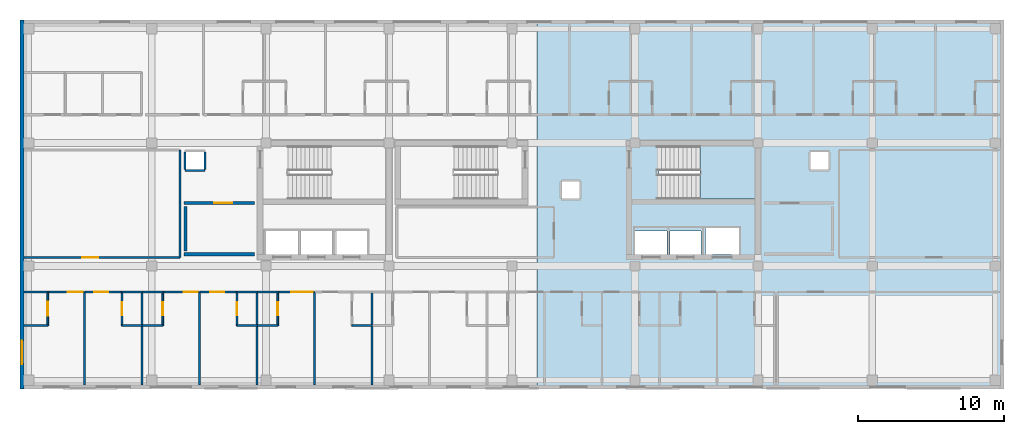
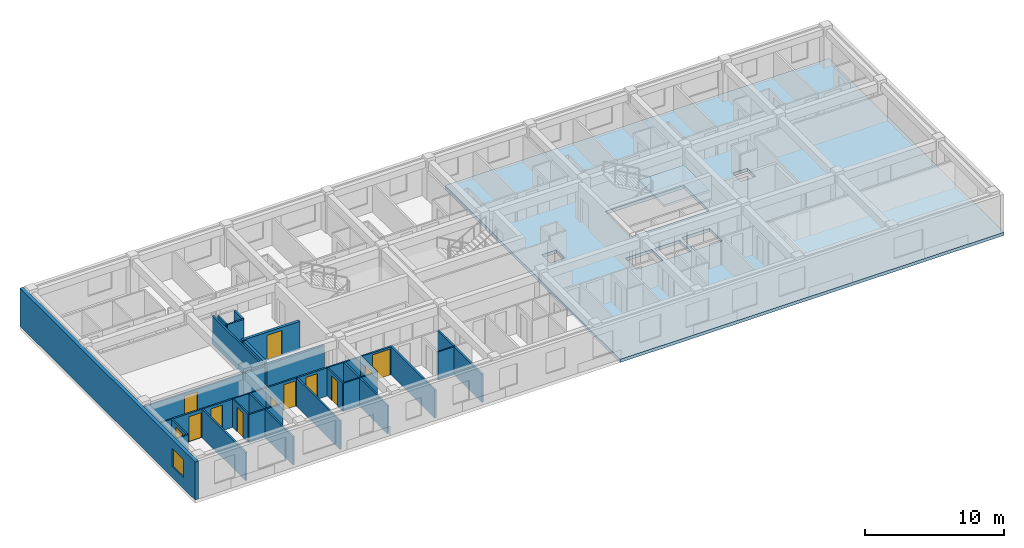
# One storey, part 2 of 10: 36 walls, 12 doors, 2 slabs, 1 window, 13 openings, 1 element without a shape of its own.
"""IFC4 building model written with IfcOpenShell, lengths in metres."""

from ifc_helpers import new_model, si_unit, direction, frame, frame_2d, origin, place, context, subcontext, project, spatial, polyline, rectangle, outline, extrude, material, layer, layer_set, type_object, element, fill, aggregate, save


model = new_model("IFC4")

# Units and contexts
model_context = context("Model", 3, precision=1e-05, world=origin(), true_north=direction((0.0, 1.0)))
body_context = subcontext(model_context, "Body", "Model", "MODEL_VIEW")
ifc_project = project(units=[si_unit("LENGTHUNIT", "METRE"), si_unit("AREAUNIT", "SQUARE_METRE"), si_unit("VOLUMEUNIT", "CUBIC_METRE"), si_unit("PLANEANGLEUNIT", "RADIAN"), si_unit("MASSUNIT", "GRAM", prefix="KILO")], contexts=[model_context])

# Site, building, storey
site_placement = place(None, origin())
site = spatial("IfcSite", under=ifc_project, at=site_placement, CompositionType="ELEMENT")
building_placement = place(site_placement, origin())
building = spatial("IfcBuilding", under=site, at=building_placement, Name="Zayran Congress Hotel", CompositionType="ELEMENT")
storey_placement = place(building_placement, frame((0.0, 0.0, 30.0)))
storey = spatial("IfcBuildingStorey", under=building, at=storey_placement, Name="L07", CompositionType="ELEMENT", Elevation=30.0)

# Slab
ifc_material_1 = material(Name="Concrete C32/40", Category="concrete")
ifc_layer_1 = layer(ifc_material_1, 0.280029296875)
ifc_layer_set_1 = layer_set([ifc_layer_1], Name="Concrete C32/40")
slab_type_1 = type_object("IfcSlabType", Name="SL-FL-280", PredefinedType="FLOOR", material=ifc_layer_set_1)
slab_1_placement = place(storey_placement, frame((0.0, 0.0, -0.280029296875)))
element("IfcSlab", 1, at=slab_1_placement, inside=storey, type_object=slab_type_1, Name="SLB-V5-L07-046", PredefinedType="FLOOR", context=body_context, shape_type="SweptSolid", body=[
    extrude(outline(polyline([(43.699951171875, 8.800048828125), (75.60009765625, 8.800048828125), (75.60009765625, 34.0), (43.699951171875, 34.0), (43.699951171875, 8.800048828125)]), holes=[polyline([(52.0400390625, 21.760009765625), (58.60009765625, 21.760009765625), (58.60009765625, 25.39990234375), (52.0400390625, 25.39990234375), (52.0400390625, 21.760009765625)]), polyline([(50.39990234375, 18.0), (52.60009765625, 18.0), (52.60009765625, 19.60009765625), (50.39990234375, 19.60009765625), (50.39990234375, 18.0)]), polyline([(52.800048828125, 18.0), (54.89990234375, 18.0), (54.89990234375, 19.60009765625), (52.800048828125, 19.60009765625), (52.800048828125, 18.0)]), polyline([(55.199951171875, 18.0), (57.5, 18.0), (57.5, 19.800048828125), (55.199951171875, 19.800048828125), (55.199951171875, 18.0)]), polyline([(45.39990234375, 21.800048828125), (46.6201171875, 21.800048828125), (46.6201171875, 22.97998046875), (45.39990234375, 22.97998046875), (45.39990234375, 21.800048828125)]), polyline([(62.39990234375, 23.800048828125), (63.6201171875, 23.800048828125), (63.6201171875, 24.97998046875), (62.39990234375, 24.97998046875), (62.39990234375, 23.800048828125)])]), origin(), (0.0, 0.0, 1.0), 0.280029296875),
])

# Stair, slab
stair_type = type_object("IfcStairType", Name="TP-STR-1700-36", PredefinedType="USERDEFINED", material=ifc_material_1)
stair_placement = place(storey_placement, origin())
stair = element("IfcStair", 2, at=stair_placement, inside=storey, type_object=stair_type, Name="L07 ST-02", ObjectType="TWO_RETURN_STAIR", PredefinedType="USERDEFINED")
ifc_layer_2 = layer(ifc_material_1, 0.199951171875)
ifc_layer_set_2 = layer_set([ifc_layer_2], Name="Concrete C32/40")
slab_type_2 = type_object("IfcSlabType", Name="TP-LND-1700", PredefinedType="LANDING", material=ifc_layer_set_2)
slab_2_placement = place(storey_placement, frame((0.0, 0.0, 1.60009765625)))
slab_2 = element("IfcSlab", 3, at=slab_2_placement, type_object=slab_type_2, Name="ST-02 landing 1", PredefinedType="LANDING", context=body_context, shape_type="SweptSolid", body=[
    extrude(outline(polyline([(54.85009765625, 21.760009765625), (58.60009765625, 21.760009765625), (58.60009765625, 25.39990234375), (54.85009765625, 25.39990234375), (54.85009765625, 21.760009765625)])), origin(), (0.0, 0.0, 1.0), 0.199951171875),
])
aggregate(stair, [slab_2])

# Wall, opening, window
ifc_material_2 = material(Name="Hajar Ma'ani limestone cavity wall and concrete C32/40", Category="masonry")
ifc_layer_3 = layer(ifc_material_2, 0.280029296875)
ifc_layer_set_3 = layer_set([ifc_layer_3], Name="Hajar Ma'ani limestone cavity wall and concrete C32/40")
wall_type_1 = type_object("IfcWallType", Name="WL-EX-280", PredefinedType="SOLIDWALL", material=ifc_layer_set_3)
wall_1_placement = place(storey_placement, frame((8.5400390625, 8.800048828125, 0.0), z_axis=(0.0, 0.0, 1.0), x_axis=(0.0, 1.0, 0.0)))
wall_1 = element("IfcWall", 4, at=wall_1_placement, inside=storey, type_object=wall_type_1, Name="EW-V5-W-L07", PredefinedType="SOLIDWALL", context=body_context, shape_type="SweptSolid", body=[
    extrude(rectangle(XDim=25.199951171875, YDim=0.280029296875, at=frame_2d((12.60009765625, 0.0))), origin(), (0.0, 0.0, 1.0), 3.340087890625),
])
opening_1_placement = place(wall_1_placement, frame((1.699951171875, 0.0, 0.949951171875)))
opening_1 = element("IfcOpeningElement", 5, at=opening_1_placement, cuts=wall_1, Name="Opening WN-15", PredefinedType="OPENING", context=body_context, shape_type="SweptSolid", body=[
    extrude(rectangle(XDim=1.60009765625, YDim=1.60009765625, at=frame_2d((0.800048828125, 0.800048828125))), frame((0.0, 0.14990234375, 0.0), z_axis=(0.0, -1.0, 0.0), x_axis=(1.0, 0.0, 0.0)), (0.0, 0.0, 1.0), 0.300048828125),
])
ifc_material_3 = material(Name="Anodised aluminium and low-E insulated glass", Category="aluminium")
window_type = type_object("IfcWindowType", Name="TP-WN-15", PartitioningType="SINGLE_PANEL", PredefinedType="WINDOW", material=ifc_material_3)
window_placement = place(opening_1_placement, origin())
window = element("IfcWindow", 6, at=window_placement, inside=storey, type_object=window_type, Name="WIN-V5W-L07", OverallHeight=1.60009765625, OverallWidth=1.60009765625, PartitioningType="SINGLE_PANEL", PredefinedType="WINDOW", context=body_context, shape_type="SweptSolid", body=[
    extrude(rectangle(XDim=1.60009765625, YDim=1.60009765625, at=frame_2d((0.800048828125, 0.800048828125))), frame((0.0, 0.030029296875, 0.0), z_axis=(0.0, -1.0, 0.0), x_axis=(1.0, 0.0, 0.0)), (0.0, 0.0, 1.0), 0.06005859375),
])
fill(opening_1, window)

# Wall
ifc_material_4 = material(Name="Concrete C32/40 fire wall", Category="concrete")
ifc_layer_4 = layer(ifc_material_4, 0.219970703125)
ifc_layer_set_4 = layer_set([ifc_layer_4], Name="Concrete C32/40 fire wall")
wall_type_2 = type_object("IfcWallType", Name="WL-FF-220", PredefinedType="SOLIDWALL", material=ifc_layer_set_4)
wall_2_placement = place(storey_placement, frame((19.60009765625, 18.0, 0.0), z_axis=(0.0, 0.0, 1.0), x_axis=(1.0, 0.0, 0.0)))
element("IfcWall", 7, at=wall_2_placement, inside=storey, type_object=wall_type_2, Name="FFWL-C-V5W-L07-S", PredefinedType="SOLIDWALL", context=body_context, shape_type="SweptSolid", body=[
    extrude(rectangle(XDim=4.7998046875, YDim=0.219970703125, at=frame_2d((2.39990234375, 0.0))), origin(), (0.0, 0.0, 1.0), 2.469970703125),
])

# Wall, opening, door
wall_3_placement = place(storey_placement, frame((19.60009765625, 21.5, 0.0), z_axis=(0.0, 0.0, 1.0), x_axis=(1.0, 0.0, 0.0)))
wall_3 = element("IfcWall", 8, at=wall_3_placement, inside=storey, type_object=wall_type_2, Name="FFWL-C-V5W-L07-N", PredefinedType="SOLIDWALL", context=body_context, shape_type="SweptSolid", body=[
    extrude(rectangle(XDim=4.7998046875, YDim=0.219970703125, at=frame_2d((2.39990234375, 0.0))), origin(), (0.0, 0.0, 1.0), 2.469970703125),
])
opening_2_placement = place(wall_3_placement, frame((2.050048828125, 0.0, 0.0)))
opening_2 = element("IfcOpeningElement", 9, at=opening_2_placement, cuts=wall_3, Name="Opening DR-FF-60", PredefinedType="OPENING", context=body_context, shape_type="SweptSolid", body=[
    extrude(rectangle(XDim=1.25, YDim=2.199951171875, at=frame_2d((0.625, 1.10009765625))), frame((0.0, 0.119873046875, 0.0), z_axis=(0.0, -1.0, 0.0), x_axis=(1.0, 0.0, 0.0)), (0.0, 0.0, 1.0), 0.239990234375),
])
ifc_material_5 = material(Name="Painted steel smoke-seal fire door", Category="steel")
door_type_1 = type_object("IfcDoorType", Name="TP-DR-FF-60", OperationType="NOTDEFINED", PredefinedType="DOOR", material=ifc_material_5)
door_1_placement = place(opening_2_placement, origin())
door_1 = element("IfcDoor", 10, at=door_1_placement, inside=storey, type_object=door_type_1, Name="Firefighting Lift Lobby Door C-V5W L07", OperationType="SINGLE_SWING_RIGHT", OverallHeight=2.199951171875, OverallWidth=1.25, PredefinedType="DOOR", context=body_context, shape_type="SweptSolid", body=[
    extrude(rectangle(XDim=1.25, YDim=2.199951171875, at=frame_2d((0.625, 1.10009765625))), frame((0.0, 0.02490234375, 0.0), z_axis=(0.0, -1.0, 0.0), x_axis=(1.0, 0.0, 0.0)), (0.0, 0.0, 1.0), 0.050048828125),
])
fill(opening_2, door_1)

# Wall
wall_4_placement = place(storey_placement, frame((19.7099609375, 18.219970703125, 0.0), z_axis=(0.0, 0.0, 1.0), x_axis=(0.0, 1.0, 0.0)))
element("IfcWall", 11, at=wall_4_placement, inside=storey, type_object=wall_type_2, Name="FFWL-C-V5W-L07-SD", PredefinedType="SOLIDWALL", context=body_context, shape_type="SweptSolid", body=[
    extrude(rectangle(XDim=3.06005859375, YDim=0.219970703125, at=frame_2d((1.530029296875, 0.0))), origin(), (0.0, 0.0, 1.0), 2.469970703125),
])

# Wall, opening, door
ifc_material_6 = material(Name="Hospitality guestroom acoustic partition", Category="gypsum")
ifc_layer_5 = layer(ifc_material_6, 0.139892578125)
ifc_layer_set_5 = layer_set([ifc_layer_5], Name="Hospitality guestroom acoustic partition")
wall_type_3 = type_object("IfcWallType", Name="WL-PT-140", PredefinedType="PARTITIONING", material=ifc_layer_set_5)
wall_5_placement = place(storey_placement, frame((8.679931640625, 17.780029296875, 0.0), z_axis=(0.0, 0.0, 1.0), x_axis=(1.0, 0.0, 0.0)))
wall_5 = element("IfcWall", 12, at=wall_5_placement, inside=storey, type_object=wall_type_3, Name="IW-L07-0723", PredefinedType="PARTITIONING", context=body_context, shape_type="SweptSolid", body=[
    extrude(rectangle(XDim=10.650146484375, YDim=0.139892578125, at=frame_2d((5.3251953125, 0.0))), origin(), (0.0, 0.0, 1.0), 2.47998046875),
])
opening_3_placement = place(wall_5_placement, frame((3.969970703125, 0.0, 0.0)))
opening_3 = element("IfcOpeningElement", 13, at=opening_3_placement, cuts=wall_5, Name="Opening DR-MT-01", PredefinedType="OPENING", context=body_context, shape_type="SweptSolid", body=[
    extrude(rectangle(XDim=1.080078125, YDim=2.25, at=frame_2d((0.5400390625, 1.125))), frame((0.0, 0.079833984375, 0.0), z_axis=(0.0, -1.0, 0.0), x_axis=(1.0, 0.0, 0.0)), (0.0, 0.0, 1.0), 0.159912109375),
])
ifc_material_7 = material(Name="Acoustic timber seminar room door", Category="wood")
door_type_2 = type_object("IfcDoorType", Name="TP-DR-MT-01", OperationType="NOTDEFINED", PredefinedType="DOOR", material=ifc_material_7)
door_2_placement = place(opening_3_placement, origin())
door_2 = element("IfcDoor", 14, at=door_2_placement, inside=storey, type_object=door_type_2, Name="Delegate Study Salon West L07 Door", OperationType="SINGLE_SWING_LEFT", OverallHeight=2.25, OverallWidth=1.080078125, PredefinedType="DOOR", context=body_context, shape_type="SweptSolid", body=[
    extrude(rectangle(XDim=1.080078125, YDim=2.25, at=frame_2d((0.5400390625, 1.125))), frame((0.0, 0.02490234375, 0.0), z_axis=(0.0, -1.0, 0.0), x_axis=(1.0, 0.0, 0.0)), (0.0, 0.0, 1.0), 0.050048828125),
])
fill(opening_3, door_2)

wall_6_placement = place(storey_placement, frame((10.29296875, 15.419921875, 0.0), z_axis=(0.0, 0.0, 1.0), x_axis=(1.0, 0.0, 0.0)))
wall_6 = element("IfcWall", 15, at=wall_6_placement, inside=storey, type_object=wall_type_3, Name="IW-L07-0726", PredefinedType="PARTITIONING", context=body_context, shape_type="SweptSolid", body=[
    extrude(rectangle(XDim=2.52392578125, YDim=0.139892578125, at=frame_2d((1.261962890625, 0.0))), origin(), (0.0, 0.0, 1.0), 2.47998046875),
])
opening_4_placement = place(wall_6_placement, frame((1.364013671875, 0.0, 0.0)))
opening_4 = element("IfcOpeningElement", 16, at=opening_4_placement, cuts=wall_6, Name="Opening DR-GR-02", PredefinedType="OPENING", context=body_context, shape_type="SweptSolid", body=[
    extrude(rectangle(XDim=1.02001953125, YDim=2.199951171875, at=frame_2d((0.510009765625, 1.10009765625))), frame((0.0, 0.079833984375, 0.0), z_axis=(0.0, -1.0, 0.0), x_axis=(1.0, 0.0, 0.0)), (0.0, 0.0, 1.0), 0.159912109375),
])
ifc_material_8 = material(Name="Accessible acoustic walnut veneer entry door", Category="wood")
door_type_3 = type_object("IfcDoorType", Name="TP-DR-GR-02", OperationType="NOTDEFINED", PredefinedType="DOOR", material=ifc_material_8)
door_3_placement = place(opening_4_placement, origin())
door_3 = element("IfcDoor", 17, at=door_3_placement, inside=storey, type_object=door_type_3, Name="Accessible Guest Room L07-01 Door", OperationType="SINGLE_SWING_RIGHT", OverallHeight=2.199951171875, OverallWidth=1.02001953125, PredefinedType="DOOR", context=body_context, shape_type="SweptSolid", body=[
    extrude(rectangle(XDim=1.02001953125, YDim=2.199951171875, at=frame_2d((0.510009765625, 1.10009765625))), frame((0.0, 0.02490234375, 0.0), z_axis=(0.0, -1.0, 0.0), x_axis=(1.0, 0.0, 0.0)), (0.0, 0.0, 1.0), 0.050048828125),
])
fill(opening_4, door_3)

wall_7_placement = place(storey_placement, frame((12.8369140625, 15.419921875, 0.0), z_axis=(0.0, 0.0, 1.0), x_axis=(1.0, 0.0, 0.0)))
wall_7 = element("IfcWall", 18, at=wall_7_placement, inside=storey, type_object=wall_type_3, Name="IW-L07-0727", PredefinedType="PARTITIONING", context=body_context, shape_type="SweptSolid", body=[
    extrude(rectangle(XDim=2.524169921875, YDim=0.139892578125, at=frame_2d((1.26220703125, 0.0))), origin(), (0.0, 0.0, 1.0), 2.47998046875),
])
opening_5_placement = place(wall_7_placement, frame((0.64404296875, 0.0, 0.0)))
opening_5 = element("IfcOpeningElement", 19, at=opening_5_placement, cuts=wall_7, Name="Opening DR-GR-03", PredefinedType="OPENING", context=body_context, shape_type="SweptSolid", body=[
    extrude(rectangle(XDim=0.9599609375, YDim=2.25, at=frame_2d((0.47998046875, 1.125))), frame((0.0, 0.079833984375, 0.0), z_axis=(0.0, -1.0, 0.0), x_axis=(1.0, 0.0, 0.0)), (0.0, 0.0, 1.0), 0.159912109375),
])
ifc_material_9 = material(Name="Executive walnut veneer entry door", Category="wood")
door_type_4 = type_object("IfcDoorType", Name="TP-DR-GR-03", OperationType="NOTDEFINED", PredefinedType="DOOR", material=ifc_material_9)
door_4_placement = place(opening_5_placement, origin())
door_4 = element("IfcDoor", 20, at=door_4_placement, inside=storey, type_object=door_type_4, Name="Guest Room L07-02 Door", OperationType="SINGLE_SWING_LEFT", OverallHeight=2.25, OverallWidth=0.9599609375, PredefinedType="DOOR", context=body_context, shape_type="SweptSolid", body=[
    extrude(rectangle(XDim=0.9599609375, YDim=2.25, at=frame_2d((0.47998046875, 1.125))), frame((0.0, 0.02490234375, 0.0), z_axis=(0.0, -1.0, 0.0), x_axis=(1.0, 0.0, 0.0)), (0.0, 0.0, 1.0), 0.050048828125),
])
fill(opening_5, door_4)

wall_8_placement = place(storey_placement, frame((18.14697265625, 15.419921875, 0.0), z_axis=(0.0, 0.0, 1.0), x_axis=(1.0, 0.0, 0.0)))
wall_8 = element("IfcWall", 21, at=wall_8_placement, inside=storey, type_object=wall_type_3, Name="IW-L07-0728", PredefinedType="PARTITIONING", context=body_context, shape_type="SweptSolid", body=[
    extrude(rectangle(XDim=2.52392578125, YDim=0.139892578125, at=frame_2d((1.261962890625, 0.0))), origin(), (0.0, 0.0, 1.0), 2.47998046875),
])
opening_6_placement = place(wall_8_placement, frame((1.424072265625, 0.0, 0.0)))
opening_6 = element("IfcOpeningElement", 22, at=opening_6_placement, cuts=wall_8, Name="Opening DR-GR-03", PredefinedType="OPENING", context=body_context, shape_type="SweptSolid", body=[
    extrude(rectangle(XDim=0.9599609375, YDim=2.25, at=frame_2d((0.47998046875, 1.125))), frame((0.0, 0.079833984375, 0.0), z_axis=(0.0, -1.0, 0.0), x_axis=(1.0, 0.0, 0.0)), (0.0, 0.0, 1.0), 0.159912109375),
])
door_5_placement = place(opening_6_placement, origin())
door_5 = element("IfcDoor", 23, at=door_5_placement, inside=storey, type_object=door_type_4, Name="Guest Room L07-03 Door", OperationType="SINGLE_SWING_RIGHT", OverallHeight=2.25, OverallWidth=0.9599609375, PredefinedType="DOOR", context=body_context, shape_type="SweptSolid", body=[
    extrude(rectangle(XDim=0.9599609375, YDim=2.25, at=frame_2d((0.47998046875, 1.125))), frame((0.0, 0.02490234375, 0.0), z_axis=(0.0, -1.0, 0.0), x_axis=(1.0, 0.0, 0.0)), (0.0, 0.0, 1.0), 0.050048828125),
])
fill(opening_6, door_5)

wall_9_placement = place(storey_placement, frame((20.69091796875, 15.419921875, 0.0), z_axis=(0.0, 0.0, 1.0), x_axis=(1.0, 0.0, 0.0)))
wall_9 = element("IfcWall", 24, at=wall_9_placement, inside=storey, type_object=wall_type_3, Name="IW-L07-0729", PredefinedType="PARTITIONING", context=body_context, shape_type="SweptSolid", body=[
    extrude(rectangle(XDim=2.524169921875, YDim=0.139892578125, at=frame_2d((1.26220703125, 0.0))), origin(), (0.0, 0.0, 1.0), 2.47998046875),
])
opening_7_placement = place(wall_9_placement, frame((0.68994140625, 0.0, 0.0)))
opening_7 = element("IfcOpeningElement", 25, at=opening_7_placement, cuts=wall_9, Name="Opening DR-GR-03", PredefinedType="OPENING", context=body_context, shape_type="SweptSolid", body=[
    extrude(rectangle(XDim=0.9599609375, YDim=2.25, at=frame_2d((0.47998046875, 1.125))), frame((0.0, 0.079833984375, 0.0), z_axis=(0.0, -1.0, 0.0), x_axis=(1.0, 0.0, 0.0)), (0.0, 0.0, 1.0), 0.159912109375),
])
door_6_placement = place(opening_7_placement, origin())
door_6 = element("IfcDoor", 26, at=door_6_placement, inside=storey, type_object=door_type_4, Name="Guest Room L07-04 Door", OperationType="SINGLE_SWING_LEFT", OverallHeight=2.25, OverallWidth=0.9599609375, PredefinedType="DOOR", context=body_context, shape_type="SweptSolid", body=[
    extrude(rectangle(XDim=0.9599609375, YDim=2.25, at=frame_2d((0.47998046875, 1.125))), frame((0.0, 0.02490234375, 0.0), z_axis=(0.0, -1.0, 0.0), x_axis=(1.0, 0.0, 0.0)), (0.0, 0.0, 1.0), 0.050048828125),
])
fill(opening_7, door_6)

wall_10_placement = place(storey_placement, frame((26.0009765625, 15.419921875, 0.0), z_axis=(0.0, 0.0, 1.0), x_axis=(1.0, 0.0, 0.0)))
wall_10 = element("IfcWall", 27, at=wall_10_placement, inside=storey, type_object=wall_type_3, Name="IW-L07-0730", PredefinedType="PARTITIONING", context=body_context, shape_type="SweptSolid", body=[
    extrude(rectangle(XDim=2.52392578125, YDim=0.139892578125, at=frame_2d((1.261962890625, 0.0))), origin(), (0.0, 0.0, 1.0), 2.47998046875),
])
opening_8_placement = place(wall_10_placement, frame((0.93408203125, 0.0, 0.0)))
opening_8 = element("IfcOpeningElement", 28, at=opening_8_placement, cuts=wall_10, Name="Opening DR-ST-01", PredefinedType="OPENING", context=body_context, shape_type="SweptSolid", body=[
    extrude(rectangle(XDim=1.449951171875, YDim=2.300048828125, at=frame_2d((0.72509765625, 1.14990234375))), frame((0.0, 0.079833984375, 0.0), z_axis=(0.0, -1.0, 0.0), x_axis=(1.0, 0.0, 0.0)), (0.0, 0.0, 1.0), 0.159912109375),
])
ifc_material_10 = material(Name="Double walnut veneer suite entry door", Category="wood")
door_type_5 = type_object("IfcDoorType", Name="TP-DR-ST-01", OperationType="DOUBLE_DOOR_SINGLE_SWING", PredefinedType="DOOR", material=ifc_material_10)
door_7_placement = place(opening_8_placement, origin())
door_7 = element("IfcDoor", 29, at=door_7_placement, inside=storey, type_object=door_type_5, Name="Junior Suite L07-05 Door", OperationType="DOUBLE_DOOR_SINGLE_SWING", OverallHeight=2.300048828125, OverallWidth=1.449951171875, PredefinedType="DOOR", context=body_context, shape_type="SweptSolid", body=[
    extrude(rectangle(XDim=1.449951171875, YDim=2.300048828125, at=frame_2d((0.72509765625, 1.14990234375))), frame((0.0, 0.02490234375, 0.0), z_axis=(0.0, -1.0, 0.0), x_axis=(1.0, 0.0, 0.0)), (0.0, 0.0, 1.0), 0.050048828125),
])
fill(opening_8, door_7)

# Walls
wall_11_placement = place(storey_placement, frame((19.320068359375, 17.77001953125, 0.0), z_axis=(0.0, 0.0, 1.0), x_axis=(0.0, 1.0, 0.0)))
element("IfcWall", 30, at=wall_11_placement, inside=storey, type_object=wall_type_3, Name="IW-L07-2055", PredefinedType="PARTITIONING", context=body_context, shape_type="SweptSolid", body=[
    extrude(rectangle(XDim=7.35986328125, YDim=0.139892578125, at=frame_2d((3.679931640625, 0.0))), origin(), (0.0, 0.0, 1.0), 2.47998046875),
])
for number, where, z_axis, x_axis, name in (
    (31, (12.81689453125, 9.080078125, 0.0), (0.0, 0.0, 1.0), (0.0, 1.0, 0.0), "IW-L07-2059"),
    (32, (16.743896484375, 9.080078125, 0.0), (0.0, 0.0, 1.0), (0.0, 1.0, 0.0), "IW-L07-2060"),
    (33, (20.6708984375, 9.080078125, 0.0), (0.0, 0.0, 1.0), (0.0, 1.0, 0.0), "IW-L07-2061"),
    (34, (24.597900390625, 9.080078125, 0.0), (0.0, 0.0, 1.0), (0.0, 1.0, 0.0), "IW-L07-2062"),
    (35, (28.52490234375, 9.080078125, 0.0), (0.0, 0.0, 1.0), (0.0, 1.0, 0.0), "IW-L07-2063"),
    (36, (32.451904296875, 9.080078125, 0.0), (0.0, 0.0, 1.0), (0.0, 1.0, 0.0), "IW-L07-2064"),
):
    element("IfcWall", number, at=place(storey_placement, frame(where, z_axis=z_axis, x_axis=x_axis)), inside=storey, type_object=wall_type_3, Name=name, PredefinedType="PARTITIONING", context=body_context, shape_type="SweptSolid", body=[
        extrude(rectangle(XDim=6.349853515625, YDim=0.139892578125, at=frame_2d((3.1748046875, 0.0))), origin(), (0.0, 0.0, 1.0), 2.47998046875),
    ])
wall_12_placement = place(storey_placement, frame((19.669921875, 23.72998046875, 0.0), z_axis=(0.0, 0.0, 1.0), x_axis=(1.0, 0.0, 0.0)))
element("IfcWall", 37, at=wall_12_placement, inside=storey, type_object=wall_type_3, Name="RSWL-V5-L07-044-S", PredefinedType="PARTITIONING", context=body_context, shape_type="SweptSolid", body=[
    extrude(rectangle(XDim=1.360107421875, YDim=0.139892578125, at=frame_2d((0.68017578125, 0.0))), origin(), (0.0, 0.0, 1.0), 2.43994140625),
])
for number, where, z_axis, x_axis, name in (
    (38, (19.669921875, 24.97998046875, 0.0), (0.0, 0.0, 1.0), (0.0, -1.0, 0.0), "RSWL-V5-L07-044-W"),
    (39, (21.030029296875, 23.800048828125, 0.0), (0.0, 0.0, 1.0), (0.0, 1.0, 0.0), "RSWL-V5-L07-044-E"),
):
    element("IfcWall", number, at=place(storey_placement, frame(where, z_axis=z_axis, x_axis=x_axis)), inside=storey, type_object=wall_type_3, Name=name, PredefinedType="PARTITIONING", context=body_context, shape_type="SweptSolid", body=[
        extrude(rectangle(XDim=1.179931640625, YDim=0.139892578125, at=frame_2d((0.58984375, 0.0))), origin(), (0.0, 0.0, 1.0), 2.43994140625),
    ])

# Wall, opening, door
ifc_material_11 = material(Name="Moisture-resistant bathroom partition", Category="gypsum")
ifc_layer_6 = layer(ifc_material_11, 0.1201171875)
ifc_layer_set_6 = layer_set([ifc_layer_6], Name="Moisture-resistant bathroom partition")
wall_type_4 = type_object("IfcWallType", Name="WL-PT-120", PredefinedType="PARTITIONING", material=ifc_layer_set_6)
wall_13_placement = place(storey_placement, frame((10.29296875, 13.1201171875, 0.0), z_axis=(0.0, 0.0, 1.0), x_axis=(0.0, 1.0, 0.0)))
wall_13 = element("IfcWall", 40, at=wall_13_placement, inside=storey, type_object=wall_type_4, Name="IW-L07-0219", PredefinedType="PARTITIONING", context=body_context, shape_type="SweptSolid", body=[
    extrude(rectangle(XDim=2.309814453125, YDim=0.1201171875, at=frame_2d((1.15478515625, 0.0))), origin(), (0.0, 0.0, 1.0), 2.47998046875),
])
opening_9_placement = place(wall_13_placement, frame((0.675048828125, 0.0, 0.0)))
opening_9 = element("IfcOpeningElement", 41, at=opening_9_placement, cuts=wall_13, Name="Opening DR-BT-02", PredefinedType="OPENING", context=body_context, shape_type="SweptSolid", body=[
    extrude(rectangle(XDim=0.9599609375, YDim=2.14990234375, at=frame_2d((0.47998046875, 1.074951171875))), frame((0.0, 0.070068359375, 0.0), z_axis=(0.0, -1.0, 0.0), x_axis=(1.0, 0.0, 0.0)), (0.0, 0.0, 1.0), 0.14013671875),
])
ifc_material_12 = material(Name="Accessible en-suite bathroom door", Category="steel")
door_type_6 = type_object("IfcDoorType", Name="TP-DR-BT-02", OperationType="NOTDEFINED", PredefinedType="DOOR", material=ifc_material_12)
door_8_placement = place(opening_9_placement, origin())
door_8 = element("IfcDoor", 42, at=door_8_placement, inside=storey, type_object=door_type_6, Name="En-Suite Bathroom L07-01 Door", OperationType="SINGLE_SWING_RIGHT", OverallHeight=2.14990234375, OverallWidth=0.9599609375, PredefinedType="DOOR", context=body_context, shape_type="SweptSolid", body=[
    extrude(rectangle(XDim=0.9599609375, YDim=2.14990234375, at=frame_2d((0.47998046875, 1.074951171875))), frame((0.0, 0.02490234375, 0.0), z_axis=(0.0, -1.0, 0.0), x_axis=(1.0, 0.0, 0.0)), (0.0, 0.0, 1.0), 0.050048828125),
])
fill(opening_9, door_8)

wall_14_placement = place(storey_placement, frame((15.361083984375, 13.1201171875, 0.0), z_axis=(0.0, 0.0, 1.0), x_axis=(0.0, 1.0, 0.0)))
wall_14 = element("IfcWall", 43, at=wall_14_placement, inside=storey, type_object=wall_type_4, Name="IW-L07-0220", PredefinedType="PARTITIONING", context=body_context, shape_type="SweptSolid", body=[
    extrude(rectangle(XDim=2.309814453125, YDim=0.1201171875, at=frame_2d((1.15478515625, 0.0))), origin(), (0.0, 0.0, 1.0), 2.47998046875),
])
opening_10_placement = place(wall_14_placement, frame((0.715087890625, 0.0, 0.0)))
opening_10 = element("IfcOpeningElement", 44, at=opening_10_placement, cuts=wall_14, Name="Opening DR-BT-01", PredefinedType="OPENING", context=body_context, shape_type="SweptSolid", body=[
    extrude(rectangle(XDim=0.8798828125, YDim=2.14990234375, at=frame_2d((0.43994140625, 1.074951171875))), frame((0.0, 0.070068359375, 0.0), z_axis=(0.0, -1.0, 0.0), x_axis=(1.0, 0.0, 0.0)), (0.0, 0.0, 1.0), 0.14013671875),
])
ifc_material_13 = material(Name="Moisture-resistant oak en-suite door", Category="wood")
door_type_7 = type_object("IfcDoorType", Name="TP-DR-BT-01", OperationType="NOTDEFINED", PredefinedType="DOOR", material=ifc_material_13)
door_9_placement = place(opening_10_placement, origin())
door_9 = element("IfcDoor", 45, at=door_9_placement, inside=storey, type_object=door_type_7, Name="En-Suite Bathroom L07-02 Door", OperationType="SINGLE_SWING_LEFT", OverallHeight=2.14990234375, OverallWidth=0.8798828125, PredefinedType="DOOR", context=body_context, shape_type="SweptSolid", body=[
    extrude(rectangle(XDim=0.8798828125, YDim=2.14990234375, at=frame_2d((0.43994140625, 1.074951171875))), frame((0.0, 0.02490234375, 0.0), z_axis=(0.0, -1.0, 0.0), x_axis=(1.0, 0.0, 0.0)), (0.0, 0.0, 1.0), 0.050048828125),
])
fill(opening_10, door_9)

wall_15_placement = place(storey_placement, frame((18.14697265625, 13.1201171875, 0.0), z_axis=(0.0, 0.0, 1.0), x_axis=(0.0, 1.0, 0.0)))
wall_15 = element("IfcWall", 46, at=wall_15_placement, inside=storey, type_object=wall_type_4, Name="IW-L07-0221", PredefinedType="PARTITIONING", context=body_context, shape_type="SweptSolid", body=[
    extrude(rectangle(XDim=2.309814453125, YDim=0.1201171875, at=frame_2d((1.15478515625, 0.0))), origin(), (0.0, 0.0, 1.0), 2.47998046875),
])
opening_11_placement = place(wall_15_placement, frame((0.715087890625, 0.0, 0.0)))
opening_11 = element("IfcOpeningElement", 47, at=opening_11_placement, cuts=wall_15, Name="Opening DR-BT-01", PredefinedType="OPENING", context=body_context, shape_type="SweptSolid", body=[
    extrude(rectangle(XDim=0.8798828125, YDim=2.14990234375, at=frame_2d((0.43994140625, 1.074951171875))), frame((0.0, 0.070068359375, 0.0), z_axis=(0.0, -1.0, 0.0), x_axis=(1.0, 0.0, 0.0)), (0.0, 0.0, 1.0), 0.14013671875),
])
door_10_placement = place(opening_11_placement, origin())
door_10 = element("IfcDoor", 48, at=door_10_placement, inside=storey, type_object=door_type_7, Name="En-Suite Bathroom L07-03 Door", OperationType="SINGLE_SWING_RIGHT", OverallHeight=2.14990234375, OverallWidth=0.8798828125, PredefinedType="DOOR", context=body_context, shape_type="SweptSolid", body=[
    extrude(rectangle(XDim=0.8798828125, YDim=2.14990234375, at=frame_2d((0.43994140625, 1.074951171875))), frame((0.0, 0.02490234375, 0.0), z_axis=(0.0, -1.0, 0.0), x_axis=(1.0, 0.0, 0.0)), (0.0, 0.0, 1.0), 0.050048828125),
])
fill(opening_11, door_10)

wall_16_placement = place(storey_placement, frame((23.215087890625, 13.1201171875, 0.0), z_axis=(0.0, 0.0, 1.0), x_axis=(0.0, 1.0, 0.0)))
wall_16 = element("IfcWall", 49, at=wall_16_placement, inside=storey, type_object=wall_type_4, Name="IW-L07-0222", PredefinedType="PARTITIONING", context=body_context, shape_type="SweptSolid", body=[
    extrude(rectangle(XDim=2.309814453125, YDim=0.1201171875, at=frame_2d((1.15478515625, 0.0))), origin(), (0.0, 0.0, 1.0), 2.47998046875),
])
opening_12_placement = place(wall_16_placement, frame((0.715087890625, 0.0, 0.0)))
opening_12 = element("IfcOpeningElement", 50, at=opening_12_placement, cuts=wall_16, Name="Opening DR-BT-01", PredefinedType="OPENING", context=body_context, shape_type="SweptSolid", body=[
    extrude(rectangle(XDim=0.8798828125, YDim=2.14990234375, at=frame_2d((0.43994140625, 1.074951171875))), frame((0.0, 0.070068359375, 0.0), z_axis=(0.0, -1.0, 0.0), x_axis=(1.0, 0.0, 0.0)), (0.0, 0.0, 1.0), 0.14013671875),
])
door_11_placement = place(opening_12_placement, origin())
door_11 = element("IfcDoor", 51, at=door_11_placement, inside=storey, type_object=door_type_7, Name="En-Suite Bathroom L07-04 Door", OperationType="SINGLE_SWING_LEFT", OverallHeight=2.14990234375, OverallWidth=0.8798828125, PredefinedType="DOOR", context=body_context, shape_type="SweptSolid", body=[
    extrude(rectangle(XDim=0.8798828125, YDim=2.14990234375, at=frame_2d((0.43994140625, 1.074951171875))), frame((0.0, 0.02490234375, 0.0), z_axis=(0.0, -1.0, 0.0), x_axis=(1.0, 0.0, 0.0)), (0.0, 0.0, 1.0), 0.050048828125),
])
fill(opening_12, door_11)

wall_17_placement = place(storey_placement, frame((26.0009765625, 13.1201171875, 0.0), z_axis=(0.0, 0.0, 1.0), x_axis=(0.0, 1.0, 0.0)))
wall_17 = element("IfcWall", 52, at=wall_17_placement, inside=storey, type_object=wall_type_4, Name="IW-L07-0223", PredefinedType="PARTITIONING", context=body_context, shape_type="SweptSolid", body=[
    extrude(rectangle(XDim=2.309814453125, YDim=0.1201171875, at=frame_2d((1.15478515625, 0.0))), origin(), (0.0, 0.0, 1.0), 2.47998046875),
])
opening_13_placement = place(wall_17_placement, frame((0.715087890625, 0.0, 0.0)))
opening_13 = element("IfcOpeningElement", 53, at=opening_13_placement, cuts=wall_17, Name="Opening DR-BT-01", PredefinedType="OPENING", context=body_context, shape_type="SweptSolid", body=[
    extrude(rectangle(XDim=0.8798828125, YDim=2.14990234375, at=frame_2d((0.43994140625, 1.074951171875))), frame((0.0, 0.070068359375, 0.0), z_axis=(0.0, -1.0, 0.0), x_axis=(1.0, 0.0, 0.0)), (0.0, 0.0, 1.0), 0.14013671875),
])
door_12_placement = place(opening_13_placement, origin())
door_12 = element("IfcDoor", 54, at=door_12_placement, inside=storey, type_object=door_type_7, Name="En-Suite Bathroom L07-05 Door", OperationType="SINGLE_SWING_RIGHT", OverallHeight=2.14990234375, OverallWidth=0.8798828125, PredefinedType="DOOR", context=body_context, shape_type="SweptSolid", body=[
    extrude(rectangle(XDim=0.8798828125, YDim=2.14990234375, at=frame_2d((0.43994140625, 1.074951171875))), frame((0.0, 0.02490234375, 0.0), z_axis=(0.0, -1.0, 0.0), x_axis=(1.0, 0.0, 0.0)), (0.0, 0.0, 1.0), 0.050048828125),
])
fill(opening_13, door_12)

# Walls
wall_18_placement = place(storey_placement, frame((8.679931640625, 13.1298828125, 0.0), z_axis=(0.0, 0.0, 1.0), x_axis=(1.0, 0.0, 0.0)))
element("IfcWall", 55, at=wall_18_placement, inside=storey, type_object=wall_type_4, Name="IW-L07-1305", PredefinedType="PARTITIONING", context=body_context, shape_type="SweptSolid", body=[
    extrude(rectangle(XDim=1.623046875, YDim=0.1201171875, at=frame_2d((0.8115234375, 0.0))), origin(), (0.0, 0.0, 1.0), 2.47998046875),
])
wall_19_placement = place(storey_placement, frame((8.679931640625, 15.419921875, 0.0), z_axis=(0.0, 0.0, 1.0), x_axis=(1.0, 0.0, 0.0)))
element("IfcWall", 56, at=wall_19_placement, inside=storey, type_object=wall_type_4, Name="IW-L07-1306", PredefinedType="PARTITIONING", context=body_context, shape_type="SweptSolid", body=[
    extrude(rectangle(XDim=1.613037109375, YDim=0.1201171875, at=frame_2d((0.806640625, 0.0))), origin(), (0.0, 0.0, 1.0), 2.47998046875),
])
for number, where, z_axis, x_axis, name in (
    (57, (15.35107421875, 13.1298828125, 0.0), (0.0, 0.0, 1.0), (1.0, 0.0, 0.0), "IW-L07-1307"),
    (58, (15.35107421875, 15.419921875, 0.0), (0.0, 0.0, 1.0), (1.0, 0.0, 0.0), "IW-L07-1308"),
):
    element("IfcWall", number, at=place(storey_placement, frame(where, z_axis=z_axis, x_axis=x_axis)), inside=storey, type_object=wall_type_4, Name=name, PredefinedType="PARTITIONING", context=body_context, shape_type="SweptSolid", body=[
        extrude(rectangle(XDim=1.40283203125, YDim=0.1201171875, at=frame_2d((0.701416015625, 0.0))), origin(), (0.0, 0.0, 1.0), 2.47998046875),
    ])
for number, where, z_axis, x_axis, name in (
    (59, (16.75390625, 13.1298828125, 0.0), (0.0, 0.0, 1.0), (1.0, 0.0, 0.0), "IW-L07-1309"),
    (60, (16.75390625, 15.419921875, 0.0), (0.0, 0.0, 1.0), (1.0, 0.0, 0.0), "IW-L07-1310"),
):
    element("IfcWall", number, at=place(storey_placement, frame(where, z_axis=z_axis, x_axis=x_axis)), inside=storey, type_object=wall_type_4, Name=name, PredefinedType="PARTITIONING", context=body_context, shape_type="SweptSolid", body=[
        extrude(rectangle(XDim=1.403076171875, YDim=0.1201171875, at=frame_2d((0.70166015625, 0.0))), origin(), (0.0, 0.0, 1.0), 2.47998046875),
    ])
for number, where, z_axis, x_axis, name in (
    (61, (23.205078125, 13.1298828125, 0.0), (0.0, 0.0, 1.0), (1.0, 0.0, 0.0), "IW-L07-1311"),
    (62, (23.205078125, 15.419921875, 0.0), (0.0, 0.0, 1.0), (1.0, 0.0, 0.0), "IW-L07-1312"),
):
    element("IfcWall", number, at=place(storey_placement, frame(where, z_axis=z_axis, x_axis=x_axis)), inside=storey, type_object=wall_type_4, Name=name, PredefinedType="PARTITIONING", context=body_context, shape_type="SweptSolid", body=[
        extrude(rectangle(XDim=1.40283203125, YDim=0.1201171875, at=frame_2d((0.701416015625, 0.0))), origin(), (0.0, 0.0, 1.0), 2.47998046875),
    ])
for number, where, z_axis, x_axis, name in (
    (63, (24.60791015625, 13.1298828125, 0.0), (0.0, 0.0, 1.0), (1.0, 0.0, 0.0), "IW-L07-1313"),
    (64, (24.60791015625, 15.419921875, 0.0), (0.0, 0.0, 1.0), (1.0, 0.0, 0.0), "IW-L07-1314"),
):
    element("IfcWall", number, at=place(storey_placement, frame(where, z_axis=z_axis, x_axis=x_axis)), inside=storey, type_object=wall_type_4, Name=name, PredefinedType="PARTITIONING", context=body_context, shape_type="SweptSolid", body=[
        extrude(rectangle(XDim=1.403076171875, YDim=0.1201171875, at=frame_2d((0.70166015625, 0.0))), origin(), (0.0, 0.0, 1.0), 2.47998046875),
    ])
wall_20_placement = place(storey_placement, frame((31.05908203125, 13.1298828125, 0.0), z_axis=(0.0, 0.0, 1.0), x_axis=(1.0, 0.0, 0.0)))
element("IfcWall", 65, at=wall_20_placement, inside=storey, type_object=wall_type_4, Name="IW-L07-1315", PredefinedType="PARTITIONING", context=body_context, shape_type="SweptSolid", body=[
    extrude(rectangle(XDim=1.40283203125, YDim=0.1201171875, at=frame_2d((0.701416015625, 0.0))), origin(), (0.0, 0.0, 1.0), 2.47998046875),
])

save(model, "model.ifc")
